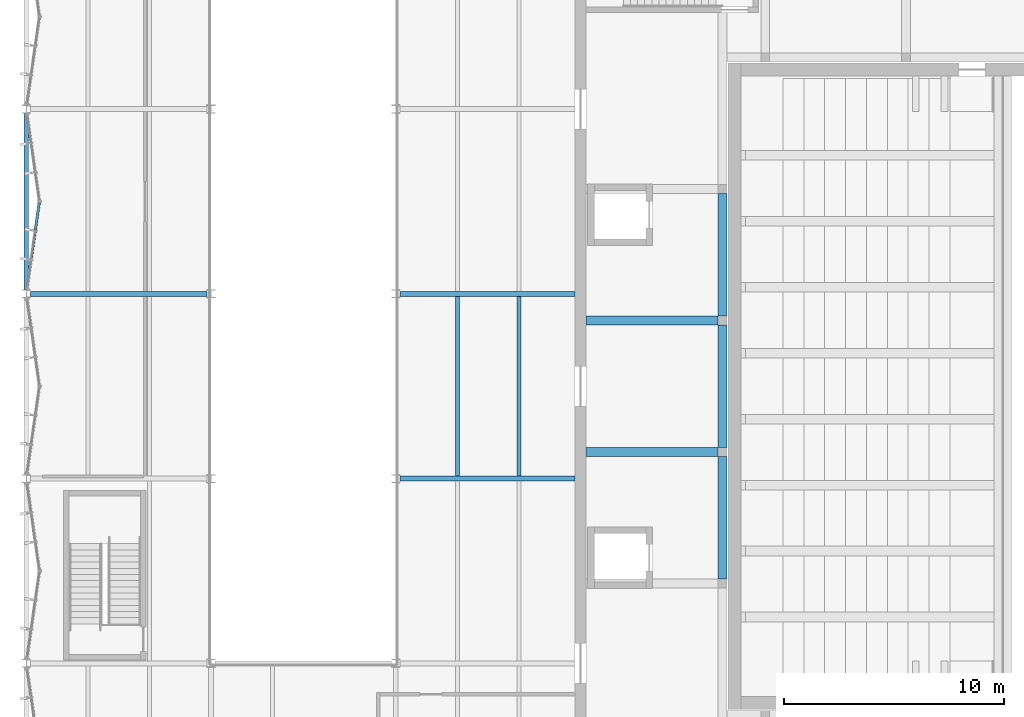
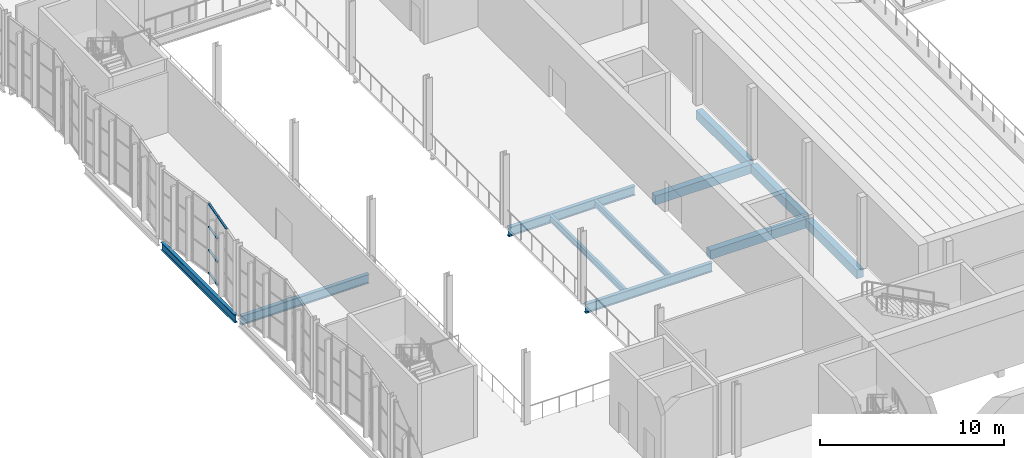
# One storey, part 31 of 127: 11 beams, 5 members, 1 element without a shape of its own.
"""IFC4 building model written with IfcOpenShell, lengths in metres."""

from ifc_helpers import new_model, si_unit, direction, frame, origin, origin_2d, place, context, subcontext, project, spatial, rectangle, i_section, extrude, material, material_profile, profile_set, type_object, element, aggregate, save


model = new_model("IFC4")

# Units and contexts
model_context = context("Model", 3, precision=1e-05, world=origin(), true_north=direction((0.0, 1.0)))
body_context = subcontext(model_context, "Body", "Model", "MODEL_VIEW")
ifc_project = project(units=[si_unit("LENGTHUNIT", "METRE"), si_unit("AREAUNIT", "SQUARE_METRE"), si_unit("VOLUMEUNIT", "CUBIC_METRE"), si_unit("PLANEANGLEUNIT", "RADIAN"), si_unit("MASSUNIT", "GRAM", prefix="KILO")], contexts=[model_context])

# Site, building, storey
site_placement = place(None, origin())
site = spatial("IfcSite", under=ifc_project, at=site_placement, CompositionType="ELEMENT")
building_placement = place(site_placement, origin())
building = spatial("IfcBuilding", under=site, at=building_placement, Name="Ljudholm Concert House", CompositionType="ELEMENT")
storey_placement = place(building_placement, frame((0.0, 0.0, 5.39990234375)))
storey = spatial("IfcBuildingStorey", under=building, at=storey_placement, Name="L01", CompositionType="ELEMENT", Elevation=5.39990234375)

# Beams
ifc_material_1 = material(Name="Concrete 6,500 psi", Category="concrete")
ifc_material_profile_1 = material_profile(ifc_material_1, rectangle(XDim=0.39990234375, YDim=0.60009765625, at=origin_2d()), Name="RC BEAM 400x600")
ifc_profile_set_1 = profile_set([ifc_material_profile_1], Name="Concrete 6,500 psi")
beam_type_1 = type_object("IfcBeamType", Name="RC BEAM 400x600", PredefinedType="BEAM", material=ifc_profile_set_1)
beam_1_placement = place(storey_placement, frame((35.64990234375, 66.6298828125, -0.5498046875), z_axis=(0.0, 1.0, 0.0), x_axis=(-1.0, 0.0, 0.0)))
element("IfcBeam", 1, at=beam_1_placement, inside=storey, type_object=beam_type_1, Name="Ring beam", PredefinedType="BEAM", context=body_context, shape_type="SweptSolid", body=[
    extrude(rectangle(XDim=0.39990234375, YDim=0.60009765625, at=origin_2d()), origin(), (0.0, 0.0, 1.0), 5.580078125),
])
for number, where, z_axis, x_axis, name in (
    (2, (35.64990234375, 72.610107421875, -0.5498046875), (0.0, 1.0, 0.0), (-1.0, 0.0, 0.0), "Ring beam"),
    (3, (35.64990234375, 78.590087890625, -0.5498046875), (0.0, 1.0, 0.0), (-1.0, 0.0, 0.0), "Ring beam"),
):
    element("IfcBeam", number, at=place(storey_placement, frame(where, z_axis=z_axis, x_axis=x_axis)), inside=storey, type_object=beam_type_1, Name=name, PredefinedType="BEAM", context=body_context, shape_type="SweptSolid", body=[
        extrude(rectangle(XDim=0.39990234375, YDim=0.60009765625, at=origin_2d()), origin(), (0.0, 0.0, 1.0), 5.579833984375),
    ])
for number, where, z_axis, x_axis, name in (
    (4, (35.449951171875, 72.409912109375, -0.5498046875), (-1.0, 0.0, 0.0), (0.0, -1.0, 0.0), "Ring cross beam"),
    (5, (35.449951171875, 78.389892578125, -0.5498046875), (-1.0, 0.0, 0.0), (0.0, -1.0, 0.0), "Ring cross beam"),
):
    element("IfcBeam", number, at=place(storey_placement, frame(where, z_axis=z_axis, x_axis=x_axis)), inside=storey, type_object=beam_type_1, Name=name, PredefinedType="BEAM", context=body_context, shape_type="SweptSolid", body=[
        extrude(rectangle(XDim=0.39990234375, YDim=0.60009765625, at=origin_2d()), origin(), (0.0, 0.0, 1.0), 6.0),
    ])
ifc_material_2 = material(Name="Steel ASTM A992", Category="steel")
ifc_material_profile_2 = material_profile(ifc_material_2, i_section(OverallWidth=0.177734375, OverallDepth=0.406494140625, WebThickness=0.0078125, FlangeThickness=0.012939453125, FilletRadius=0.01025390625, at=origin_2d()), Name="W16X40")
ifc_profile_set_2 = profile_set([ifc_material_profile_2], Name="Steel ASTM A992")
beam_type_2 = type_object("IfcBeamType", Name="STEEL BEAM W16X40", PredefinedType="BEAM", material=ifc_profile_set_2)
for number, where, z_axis, x_axis, name in (
    (6, (23.60009765625, 71.314453125, -0.383056640625), (0.0, 1.0, 0.0), (-1.0, 0.0, 0.0), "Secondary beam"),
    (7, (26.39990234375, 71.314453125, -0.383056640625), (0.0, 1.0, 0.0), (-1.0, 0.0, 0.0), "Secondary beam"),
):
    element("IfcBeam", number, at=place(storey_placement, frame(where, z_axis=z_axis, x_axis=x_axis)), inside=storey, type_object=beam_type_2, Name=name, PredefinedType="BEAM", context=body_context, shape_type="SweptSolid", body=[
        extrude(i_section(OverallWidth=0.177734375, OverallDepth=0.406494140625, WebThickness=0.0078125, FlangeThickness=0.012939453125, FilletRadius=0.01025390625, at=origin_2d()), origin(), (0.0, 0.0, 1.0), 8.1708984375),
    ])
ifc_material_3 = material(Name="Steel ASTM A992", Category="steel")
ifc_material_profile_3 = material_profile(ifc_material_3, i_section(OverallWidth=0.209228515625, OverallDepth=0.533447265625, WebThickness=0.01025390625, FlangeThickness=0.015625, FilletRadius=0.012939453125, at=origin_2d()), Name="W21X62")
ifc_profile_set_3 = profile_set([ifc_material_profile_3], Name="Steel ASTM A992")
beam_type_3 = type_object("IfcBeamType", Name="STEEL BEAM W21X62", PredefinedType="BEAM", material=ifc_profile_set_3)
beam_2_placement = place(storey_placement, frame((4.0, 79.78662109375, -0.446533203125), z_axis=(0.0, 1.0, 0.0), x_axis=(-1.0, 0.0, 0.0)))
element("IfcBeam", 8, at=beam_2_placement, inside=storey, type_object=beam_type_3, Name="Floor edge beam", PredefinedType="BEAM", context=body_context, shape_type="SweptSolid", body=[
    extrude(i_section(OverallWidth=0.209228515625, OverallDepth=0.533447265625, WebThickness=0.01025390625, FlangeThickness=0.015625, FilletRadius=0.012939453125, at=origin_2d()), origin(), (0.0, 0.0, 1.0), 8.026611328125),
])
ifc_material_4 = material(Name="Steel ASTM A992", Category="steel")
ifc_material_profile_4 = material_profile(ifc_material_4, i_section(OverallWidth=0.22900390625, OverallDepth=0.612060546875, WebThickness=0.011962890625, FlangeThickness=0.01953125, FilletRadius=0.0126953125, at=origin_2d()), Name="W24X84")
ifc_profile_set_4 = profile_set([ifc_material_profile_4], Name="Steel ASTM A992")
beam_type_4 = type_object("IfcBeamType", Name="STEEL BEAM W24X84", PredefinedType="BEAM", material=ifc_profile_set_4)
beam_3_placement = place(storey_placement, frame((20.986572265625, 71.199951171875, -0.486083984375), z_axis=(1.0, 0.0, 0.0), x_axis=(0.0, 1.0, 0.0)))
element("IfcBeam", 9, at=beam_3_placement, inside=storey, type_object=beam_type_4, Name="Floor girder", PredefinedType="BEAM", context=body_context, shape_type="SweptSolid", body=[
    extrude(i_section(OverallWidth=0.22900390625, OverallDepth=0.612060546875, WebThickness=0.011962890625, FlangeThickness=0.01953125, FilletRadius=0.0126953125, at=origin_2d()), origin(), (0.0, 0.0, 1.0), 7.96337890625),
])
beam_4_placement = place(storey_placement, frame((4.186767578125, 79.60009765625, -0.486083984375), z_axis=(1.0, 0.0, 0.0), x_axis=(0.0, 1.0, 0.0)))
element("IfcBeam", 10, at=beam_4_placement, inside=storey, type_object=beam_type_4, Name="Floor girder", PredefinedType="BEAM", context=body_context, shape_type="SweptSolid", body=[
    extrude(i_section(OverallWidth=0.22900390625, OverallDepth=0.612060546875, WebThickness=0.011962890625, FlangeThickness=0.01953125, FilletRadius=0.0126953125, at=origin_2d()), origin(), (0.0, 0.0, 1.0), 8.026611328125),
])
beam_5_placement = place(storey_placement, frame((20.986572265625, 79.60009765625, -0.486083984375), z_axis=(1.0, 0.0, 0.0), x_axis=(0.0, 1.0, 0.0)))
element("IfcBeam", 11, at=beam_5_placement, inside=storey, type_object=beam_type_4, Name="Floor girder", PredefinedType="BEAM", context=body_context, shape_type="SweptSolid", body=[
    extrude(i_section(OverallWidth=0.22900390625, OverallDepth=0.612060546875, WebThickness=0.011962890625, FlangeThickness=0.01953125, FilletRadius=0.0126953125, at=origin_2d()), origin(), (0.0, 0.0, 1.0), 7.96337890625),
])

# Curtain wall, members
ifc_material_5 = material(Name="Aluminium curtain wall with impact-rated laminated glass", Category="aluminium")
curtain_wall_type = type_object("IfcCurtainWallType", Name="CURTAIN WALL 1400", PredefinedType="NOTDEFINED", material=ifc_material_5)
curtain_wall_placement = place(storey_placement, origin())
curtain_wall = element("IfcCurtainWall", 12, at=curtain_wall_placement, inside=storey, type_object=curtain_wall_type, Name="Facade curtain wall", PredefinedType="NOTDEFINED")
ifc_material_6 = material(Name="Aluminium extrusion", Category="aluminium")
ifc_material_profile_5 = material_profile(ifc_material_6, rectangle(XDim=0.1201171875, YDim=0.06005859375, at=origin_2d()), Name="TRANSOM 60x120")
ifc_profile_set_5 = profile_set([ifc_material_profile_5], Name="Aluminium extrusion")
member_type = type_object("IfcMemberType", Name="TRANSOM 60x120", PredefinedType="USERDEFINED", material=ifc_profile_set_5)
member_1_placement = place(storey_placement, frame((4.22509765625, 81.1748046875, 4.590087890625), z_axis=(0.141421356237, 0.989949493661, 0.0), x_axis=(-0.989949493661, 0.141421356237, 0.0)))
member_1 = element("IfcMember", 13, at=member_1_placement, type_object=member_type, Name="Transom", ObjectType="TRANSOM", PredefinedType="USERDEFINED", context=body_context, shape_type="SweptSolid", body=[
    extrude(rectangle(XDim=0.1201171875, YDim=0.06005859375, at=origin_2d()), origin(), (0.0, 0.0, 1.0), 1.281005859375),
])
member_2_placement = place(storey_placement, frame((4.41455078125, 82.502197265625, 0.030029296875), z_axis=(0.141475995027, 0.989941686581, 0.0), x_axis=(-0.989941686581, 0.141475995027, 0.0)))
member_2 = element("IfcMember", 14, at=member_2_placement, type_object=member_type, Name="Transom", ObjectType="TRANSOM", PredefinedType="USERDEFINED", context=body_context, shape_type="SweptSolid", body=[
    extrude(rectangle(XDim=0.1201171875, YDim=0.06005859375, at=origin_2d()), origin(), (0.0, 0.0, 1.0), 1.251220703125),
])
member_3_placement = place(storey_placement, frame((4.41455078125, 82.502197265625, 1.5400390625), z_axis=(0.141475995027, 0.989941686581, 0.0), x_axis=(-0.989941686581, 0.141475995027, 0.0)))
member_3 = element("IfcMember", 15, at=member_3_placement, type_object=member_type, Name="Transom", ObjectType="TRANSOM", PredefinedType="USERDEFINED", context=body_context, shape_type="SweptSolid", body=[
    extrude(rectangle(XDim=0.1201171875, YDim=0.06005859375, at=origin_2d()), origin(), (0.0, 0.0, 1.0), 1.251220703125),
])
member_4_placement = place(storey_placement, frame((4.41455078125, 82.502197265625, 3.080078125), z_axis=(0.141475995027, 0.989941686581, 0.0), x_axis=(-0.989941686581, 0.141475995027, 0.0)))
member_4 = element("IfcMember", 16, at=member_4_placement, type_object=member_type, Name="Transom", ObjectType="TRANSOM", PredefinedType="USERDEFINED", context=body_context, shape_type="SweptSolid", body=[
    extrude(rectangle(XDim=0.1201171875, YDim=0.06005859375, at=origin_2d()), origin(), (0.0, 0.0, 1.0), 1.251220703125),
])
member_5_placement = place(storey_placement, frame((4.41455078125, 82.502197265625, 4.590087890625), z_axis=(0.141475995027, 0.989941686581, 0.0), x_axis=(-0.989941686581, 0.141475995027, 0.0)))
member_5 = element("IfcMember", 17, at=member_5_placement, type_object=member_type, Name="Transom", ObjectType="TRANSOM", PredefinedType="USERDEFINED", context=body_context, shape_type="SweptSolid", body=[
    extrude(rectangle(XDim=0.1201171875, YDim=0.06005859375, at=origin_2d()), origin(), (0.0, 0.0, 1.0), 1.251220703125),
])
aggregate(curtain_wall, [member_1, member_2, member_3, member_4, member_5])

save(model, "model.ifc")
